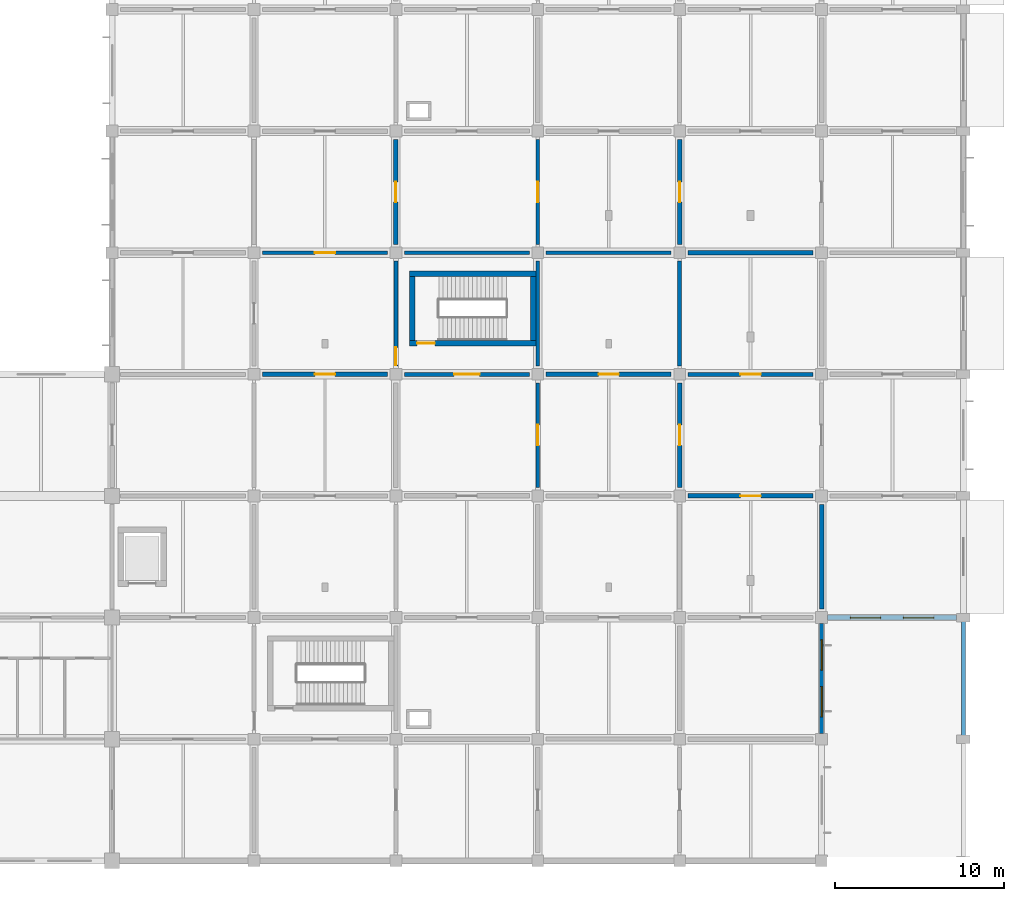
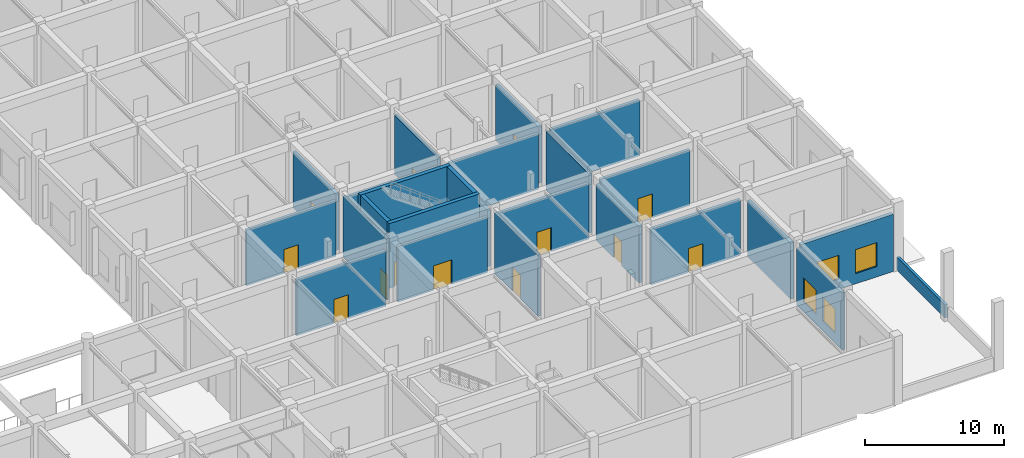
# One storey, part 24 of 39: 25 walls, 13 doors, 4 windows, 17 openings.
"""IFC4 building model written with IfcOpenShell, lengths in metres."""

from ifc_helpers import new_model, si_unit, derived_unit, direction, frame, frame_2d, origin, place, context, subcontext, project, spatial, rectangle, extrude, material, layer, layer_set, type_object, element, fill, save


model = new_model("IFC4")

# Units and contexts
model_context = context("Model", 3, precision=1e-05, world=origin(), true_north=direction((0.0, 1.0)))
body_context = subcontext(model_context, "Body", "Model", "MODEL_VIEW")
ifc_project = project(units=[si_unit("LENGTHUNIT", "METRE"), si_unit("AREAUNIT", "SQUARE_METRE"), si_unit("VOLUMEUNIT", "CUBIC_METRE"), si_unit("PLANEANGLEUNIT", "RADIAN"), si_unit("MASSUNIT", "GRAM", prefix="KILO"), derived_unit("THERMALTRANSMITTANCEUNIT", [(si_unit("MASSUNIT", "GRAM", prefix="KILO"), 1), (si_unit("TIMEUNIT", "SECOND"), -3), (si_unit("THERMODYNAMICTEMPERATUREUNIT", "KELVIN"), -1)])], contexts=[model_context])

# Site, building, storey
site_placement = place(None, origin())
site = spatial("IfcSite", under=ifc_project, at=site_placement, CompositionType="ELEMENT")
building_placement = place(site_placement, origin())
building = spatial("IfcBuilding", under=site, at=building_placement, Name="Veldstrom Oceanarium and Marine Research Institute", CompositionType="ELEMENT")
storey_placement = place(building_placement, origin())
storey = spatial("IfcBuildingStorey", under=building, at=storey_placement, Name="L00", CompositionType="ELEMENT", Elevation=0.0)

# Wall, openings, windows
ifc_material_1 = material(Name="Masonry Cavity Wall", Category="masonry")
ifc_layer_1 = layer(ifc_material_1, 0.31005859375)
ifc_layer_set_1 = layer_set([ifc_layer_1], Name="ARC-WAL-EW1")
wall_type_1 = type_object("IfcWallType", Name="ARC-WAL-EW1", PredefinedType="SOLIDWALL", material=ifc_layer_set_1)
wall_1_placement = place(storey_placement, frame((159.949951171875, 57.60009765625, 0.0), z_axis=(0.0, 0.0, 1.0), x_axis=(1.0, 0.0, 0.0)))
wall_1 = element("IfcWall", 1, at=wall_1_placement, inside=storey, type_object=wall_type_1, Name="Exterior Facade Wall EW1 L00-053", PredefinedType="SOLIDWALL", context=body_context, shape_type="SweptSolid", body=[
    extrude(rectangle(XDim=7.650146484375, YDim=0.31005859375, at=frame_2d((3.8251953125, 0.0))), origin(), (0.0, 0.0, 1.0), 5.02001953125),
])
opening_1_placement = place(wall_1_placement, frame((1.35009765625, 0.0, 0.89990234375)))
opening_1 = element("IfcOpeningElement", 2, at=opening_1_placement, cuts=wall_1, Name="Opening W10", PredefinedType="OPENING", context=body_context, shape_type="SweptSolid", body=[
    extrude(rectangle(XDim=1.800048828125, YDim=2.10009765625, at=frame_2d((0.89990234375, 1.050048828125))), frame((0.0, 0.1650390625, 0.0), z_axis=(0.0, -1.0, 0.0), x_axis=(1.0, 0.0, 0.0)), (0.0, 0.0, 1.0), 0.330078125),
])
opening_2_placement = place(wall_1_placement, frame((4.5, 0.0, 0.89990234375)))
opening_2 = element("IfcOpeningElement", 3, at=opening_2_placement, cuts=wall_1, Name="Opening W10", PredefinedType="OPENING", context=body_context, shape_type="SweptSolid", body=[
    extrude(rectangle(XDim=1.800048828125, YDim=2.10009765625, at=frame_2d((0.89990234375, 1.050048828125))), frame((0.0, 0.1650390625, 0.0), z_axis=(0.0, -1.0, 0.0), x_axis=(1.0, 0.0, 0.0)), (0.0, 0.0, 1.0), 0.330078125),
])
ifc_material_2 = material(Name="Double Glazed Low-E IGU", Category="glass")
window_type = type_object("IfcWindowType", Name="ARC-WIN-W10", PartitioningType="SINGLE_PANEL", PredefinedType="WINDOW", material=ifc_material_2)
window_1_placement = place(opening_1_placement, origin())
window_1 = element("IfcWindow", 4, at=window_1_placement, inside=storey, type_object=window_type, Name="Facade Window W10 L00-0031", OverallHeight=2.10009765625, OverallWidth=1.800048828125, PartitioningType="SINGLE_PANEL", PredefinedType="WINDOW", context=body_context, shape_type="SweptSolid", body=[
    extrude(rectangle(XDim=1.800048828125, YDim=2.10009765625, at=frame_2d((0.89990234375, 1.050048828125))), frame((0.0, 0.030029296875, 0.0), z_axis=(0.0, -1.0, 0.0), x_axis=(1.0, 0.0, 0.0)), (0.0, 0.0, 1.0), 0.06005859375),
])
fill(opening_1, window_1)
window_2_placement = place(opening_2_placement, origin())
window_2 = element("IfcWindow", 5, at=window_2_placement, inside=storey, type_object=window_type, Name="Facade Window W10 L00-0032", OverallHeight=2.10009765625, OverallWidth=1.800048828125, PartitioningType="SINGLE_PANEL", PredefinedType="WINDOW", context=body_context, shape_type="SweptSolid", body=[
    extrude(rectangle(XDim=1.800048828125, YDim=2.10009765625, at=frame_2d((0.89990234375, 1.050048828125))), frame((0.0, 0.030029296875, 0.0), z_axis=(0.0, -1.0, 0.0), x_axis=(1.0, 0.0, 0.0)), (0.0, 0.0, 1.0), 0.06005859375),
])
fill(opening_2, window_2)

ifc_material_3 = material(Name="Masonry Cavity Wall", Category="masonry")
ifc_layer_2 = layer(ifc_material_3, 0.25)
ifc_layer_set_2 = layer_set([ifc_layer_2], Name="ARC-WAL-EW5")
wall_type_2 = type_object("IfcWallType", Name="ARC-WAL-EW5", PredefinedType="SOLIDWALL", material=ifc_layer_set_2)
wall_2_placement = place(storey_placement, frame((159.60009765625, 50.75, 0.0), z_axis=(0.0, 0.0, 1.0), x_axis=(0.0, 1.0, 0.0)))
wall_2 = element("IfcWall", 6, at=wall_2_placement, inside=storey, type_object=wall_type_2, Name="Exterior Facade Wall EW5 L00-051", PredefinedType="SOLIDWALL", context=body_context, shape_type="SweptSolid", body=[
    extrude(rectangle(XDim=6.5, YDim=0.25, at=frame_2d((3.25, 0.0))), origin(), (0.0, 0.0, 1.0), 5.02001953125),
])
opening_3_placement = place(wall_2_placement, frame((0.966796875, 0.0, 0.89990234375)))
opening_3 = element("IfcOpeningElement", 7, at=opening_3_placement, cuts=wall_2, Name="Opening W10", PredefinedType="OPENING", context=body_context, shape_type="SweptSolid", body=[
    extrude(rectangle(XDim=1.800048828125, YDim=2.10009765625, at=frame_2d((0.89990234375, 1.050048828125))), frame((0.0, 0.135009765625, 0.0), z_axis=(0.0, -1.0, 0.0), x_axis=(1.0, 0.0, 0.0)), (0.0, 0.0, 1.0), 0.27001953125),
])
opening_4_placement = place(wall_2_placement, frame((3.7333984375, 0.0, 0.89990234375)))
opening_4 = element("IfcOpeningElement", 8, at=opening_4_placement, cuts=wall_2, Name="Opening W10", PredefinedType="OPENING", context=body_context, shape_type="SweptSolid", body=[
    extrude(rectangle(XDim=1.800048828125, YDim=2.10009765625, at=frame_2d((0.89990234375, 1.050048828125))), frame((0.0, 0.135009765625, 0.0), z_axis=(0.0, -1.0, 0.0), x_axis=(1.0, 0.0, 0.0)), (0.0, 0.0, 1.0), 0.27001953125),
])
window_3_placement = place(opening_3_placement, origin())
window_3 = element("IfcWindow", 9, at=window_3_placement, inside=storey, type_object=window_type, Name="Facade Window W10 L00-0029", OverallHeight=2.10009765625, OverallWidth=1.800048828125, PartitioningType="SINGLE_PANEL", PredefinedType="WINDOW", context=body_context, shape_type="SweptSolid", body=[
    extrude(rectangle(XDim=1.800048828125, YDim=2.10009765625, at=frame_2d((0.89990234375, 1.050048828125))), frame((0.0, 0.030029296875, 0.0), z_axis=(0.0, -1.0, 0.0), x_axis=(1.0, 0.0, 0.0)), (0.0, 0.0, 1.0), 0.06005859375),
])
fill(opening_3, window_3)
window_4_placement = place(opening_4_placement, origin())
window_4 = element("IfcWindow", 10, at=window_4_placement, inside=storey, type_object=window_type, Name="Facade Window W10 L00-0030", OverallHeight=2.10009765625, OverallWidth=1.800048828125, PartitioningType="SINGLE_PANEL", PredefinedType="WINDOW", context=body_context, shape_type="SweptSolid", body=[
    extrude(rectangle(XDim=1.800048828125, YDim=2.10009765625, at=frame_2d((0.89990234375, 1.050048828125))), frame((0.0, 0.030029296875, 0.0), z_axis=(0.0, -1.0, 0.0), x_axis=(1.0, 0.0, 0.0)), (0.0, 0.0, 1.0), 0.06005859375),
])
fill(opening_4, window_4)

# Wall
ifc_material_4 = material(Name="Masonry Cavity Wall", Category="masonry")
ifc_layer_3 = layer(ifc_material_4, 0.219970703125)
ifc_layer_set_3 = layer_set([ifc_layer_3], Name="ARC-WAL-PR1")
wall_type_3 = type_object("IfcWallType", Name="ARC-WAL-PR1", PredefinedType="PARAPET", material=ifc_layer_set_3)
wall_3_placement = place(storey_placement, frame((168.0, 50.52001953125, 0.0), z_axis=(0.0, 0.0, 1.0), x_axis=(0.0, 1.0, 0.0)))
element("IfcWall", 11, at=wall_3_placement, inside=storey, type_object=wall_type_3, Name="Roof Parapet Wall B01-005", PredefinedType="PARAPET", context=body_context, shape_type="SweptSolid", body=[
    extrude(rectangle(XDim=6.9599609375, YDim=0.219970703125, at=frame_2d((3.47998046875, 0.0))), origin(), (0.0, 0.0, 1.0), 1.14990234375),
])

# Wall, opening, door
ifc_material_5 = material(Name="Masonry Fire Compartment Wall", Category="masonry")
ifc_layer_4 = layer(ifc_material_5, 0.22998046875)
ifc_layer_set_4 = layer_set([ifc_layer_4], Name="ARC-WAL-PT1")
wall_type_4 = type_object("IfcWallType", Name="ARC-WAL-PT1", PredefinedType="PARTITIONING", material=ifc_layer_set_4)
wall_4_placement = place(storey_placement, frame((134.39990234375, 72.5, 0.0), z_axis=(0.0, 0.0, 1.0), x_axis=(0.0, 1.0, 0.0)))
wall_4 = element("IfcWall", 12, at=wall_4_placement, inside=storey, type_object=wall_type_4, Name="Interior Partition PT1 L00-0750", PredefinedType="PARTITIONING", context=body_context, shape_type="SweptSolid", body=[
    extrude(rectangle(XDim=6.199951171875, YDim=0.22998046875, at=frame_2d((3.10009765625, 0.0))), origin(), (0.0, 0.0, 1.0), 5.3798828125),
])
opening_5_placement = place(wall_4_placement, frame((0.050048828125, 0.0, 0.0)))
opening_5 = element("IfcOpeningElement", 13, at=opening_5_placement, cuts=wall_4, Name="Opening D-L00-432", PredefinedType="OPENING", context=body_context, shape_type="SweptSolid", body=[
    extrude(rectangle(XDim=1.050048828125, YDim=2.14990234375, at=frame_2d((0.52490234375, 1.074951171875))), frame((0.0, 0.125, 0.0), z_axis=(0.0, -1.0, 0.0), x_axis=(1.0, 0.0, 0.0)), (0.0, 0.0, 1.0), 0.25),
])
ifc_material_6 = material(Name="Painted Steel Fire Door", Category="steel")
door_type_1 = type_object("IfcDoorType", Name="ARC-DOR-SD1", OperationType="SINGLE_SWING_LEFT", PredefinedType="DOOR", material=ifc_material_6)
door_1_placement = place(opening_5_placement, origin())
door_1 = element("IfcDoor", 14, at=door_1_placement, inside=storey, type_object=door_type_1, Name="Interior Door D-L00-432", OperationType="SINGLE_SWING_LEFT", OverallHeight=2.14990234375, OverallWidth=1.050048828125, PredefinedType="DOOR", context=body_context, shape_type="SweptSolid", body=[
    extrude(rectangle(XDim=1.050048828125, YDim=2.14990234375, at=frame_2d((0.52490234375, 1.074951171875))), frame((0.0, 0.02490234375, 0.0), z_axis=(0.0, -1.0, 0.0), x_axis=(1.0, 0.0, 0.0)), (0.0, 0.0, 1.0), 0.050048828125),
])
fill(opening_5, door_1)

wall_5_placement = place(storey_placement, frame((126.5, 79.199951171875, 0.0), z_axis=(0.0, 0.0, 1.0), x_axis=(1.0, 0.0, 0.0)))
wall_5 = element("IfcWall", 15, at=wall_5_placement, inside=storey, type_object=wall_type_4, Name="Interior Partition PT1 L00-0751", PredefinedType="PARTITIONING", context=body_context, shape_type="SweptSolid", body=[
    extrude(rectangle(XDim=7.39990234375, YDim=0.22998046875, at=frame_2d((3.699951171875, 0.0))), origin(), (0.0, 0.0, 1.0), 4.8701171875),
])
opening_6_placement = place(wall_5_placement, frame((3.10009765625, 0.0, 0.0)))
opening_6 = element("IfcOpeningElement", 16, at=opening_6_placement, cuts=wall_5, Name="Opening D-L00-433", PredefinedType="OPENING", context=body_context, shape_type="SweptSolid", body=[
    extrude(rectangle(XDim=1.199951171875, YDim=2.10009765625, at=frame_2d((0.60009765625, 1.050048828125))), frame((0.0, 0.125, 0.0), z_axis=(0.0, -1.0, 0.0), x_axis=(1.0, 0.0, 0.0)), (0.0, 0.0, 1.0), 0.25),
])
ifc_material_7 = material(Name="Quarantine Biosecure Door", Category="steel")
door_type_2 = type_object("IfcDoorType", Name="ARC-DOR-ID06", OperationType="SINGLE_SWING_RIGHT", PredefinedType="DOOR", material=ifc_material_7)
door_2_placement = place(opening_6_placement, frame((1.199951171875, 0.0, 0.0), z_axis=(0.0, 0.0, 1.0), x_axis=(-1.0, 0.0, 0.0)))
door_2 = element("IfcDoor", 17, at=door_2_placement, inside=storey, type_object=door_type_2, Name="Interior Door D-L00-433", OperationType="SINGLE_SWING_LEFT", OverallHeight=2.10009765625, OverallWidth=1.199951171875, PredefinedType="DOOR", context=body_context, shape_type="SweptSolid", body=[
    extrude(rectangle(XDim=1.199951171875, YDim=2.10009765625, at=frame_2d((0.60009765625, 1.050048828125))), frame((0.0, 0.02490234375, 0.0), z_axis=(0.0, -1.0, 0.0), x_axis=(1.0, 0.0, 0.0)), (0.0, 0.0, 1.0), 0.050048828125),
])
fill(opening_6, door_2)

wall_6_placement = place(storey_placement, frame((142.800048828125, 65.300048828125, 0.0), z_axis=(0.0, 0.0, 1.0), x_axis=(0.0, 1.0, 0.0)))
wall_6 = element("IfcWall", 18, at=wall_6_placement, inside=storey, type_object=wall_type_4, Name="Interior Partition PT1 L00-0767", PredefinedType="PARTITIONING", context=body_context, shape_type="SweptSolid", body=[
    extrude(rectangle(XDim=6.199951171875, YDim=0.22998046875, at=frame_2d((3.10009765625, 0.0))), origin(), (0.0, 0.0, 1.0), 5.3798828125),
])
opening_7_placement = place(wall_6_placement, frame((2.5, 0.0, 0.0)))
opening_7 = element("IfcOpeningElement", 19, at=opening_7_placement, cuts=wall_6, Name="Opening D-L00-442", PredefinedType="OPENING", context=body_context, shape_type="SweptSolid", body=[
    extrude(rectangle(XDim=1.199951171875, YDim=2.10009765625, at=frame_2d((0.60009765625, 1.050048828125))), frame((0.0, 0.125, 0.0), z_axis=(0.0, -1.0, 0.0), x_axis=(1.0, 0.0, 0.0)), (0.0, 0.0, 1.0), 0.25),
])
door_3_placement = place(opening_7_placement, origin())
door_3 = element("IfcDoor", 20, at=door_3_placement, inside=storey, type_object=door_type_2, Name="Interior Door D-L00-442", OperationType="SINGLE_SWING_RIGHT", OverallHeight=2.10009765625, OverallWidth=1.199951171875, PredefinedType="DOOR", context=body_context, shape_type="SweptSolid", body=[
    extrude(rectangle(XDim=1.199951171875, YDim=2.10009765625, at=frame_2d((0.60009765625, 1.050048828125))), frame((0.0, 0.02490234375, 0.0), z_axis=(0.0, -1.0, 0.0), x_axis=(1.0, 0.0, 0.0)), (0.0, 0.0, 1.0), 0.050048828125),
])
fill(opening_7, door_3)

wall_7_placement = place(storey_placement, frame((134.89990234375, 72.0, 0.0), z_axis=(0.0, 0.0, 1.0), x_axis=(1.0, 0.0, 0.0)))
wall_7 = element("IfcWall", 21, at=wall_7_placement, inside=storey, type_object=wall_type_4, Name="Interior Partition PT1 L00-0768", PredefinedType="PARTITIONING", context=body_context, shape_type="SweptSolid", body=[
    extrude(rectangle(XDim=7.400146484375, YDim=0.22998046875, at=frame_2d((3.7001953125, 0.0))), origin(), (0.0, 0.0, 1.0), 4.8701171875),
])
opening_8_placement = place(wall_7_placement, frame((2.949951171875, 0.0, 0.0)))
opening_8 = element("IfcOpeningElement", 22, at=opening_8_placement, cuts=wall_7, Name="Opening D-L00-443", PredefinedType="OPENING", context=body_context, shape_type="SweptSolid", body=[
    extrude(rectangle(XDim=1.5, YDim=2.14990234375, at=frame_2d((0.75, 1.074951171875))), frame((0.0, 0.125, 0.0), z_axis=(0.0, -1.0, 0.0), x_axis=(1.0, 0.0, 0.0)), (0.0, 0.0, 1.0), 0.25),
])
ifc_material_8 = material(Name="Painted Steel Lobby Fire Door", Category="steel")
door_type_3 = type_object("IfcDoorType", Name="ARC-DOR-SD2", OperationType="DOUBLE_DOOR_SINGLE_SWING", PredefinedType="DOOR", material=ifc_material_8)
door_4_placement = place(opening_8_placement, frame((1.5, 0.0, 0.0), z_axis=(0.0, 0.0, 1.0), x_axis=(-1.0, 0.0, 0.0)))
door_4 = element("IfcDoor", 23, at=door_4_placement, inside=storey, type_object=door_type_3, Name="Interior Door D-L00-443", OperationType="DOUBLE_DOOR_SINGLE_SWING", OverallHeight=2.14990234375, OverallWidth=1.5, PredefinedType="DOOR", context=body_context, shape_type="SweptSolid", body=[
    extrude(rectangle(XDim=1.5, YDim=2.14990234375, at=frame_2d((0.75, 1.074951171875))), frame((0.0, 0.02490234375, 0.0), z_axis=(0.0, -1.0, 0.0), x_axis=(1.0, 0.0, 0.0)), (0.0, 0.0, 1.0), 0.050048828125),
])
fill(opening_8, door_4)

# Walls
wall_8_placement = place(storey_placement, frame((142.800048828125, 72.5, 0.0), z_axis=(0.0, 0.0, 1.0), x_axis=(0.0, 1.0, 0.0)))
element("IfcWall", 24, at=wall_8_placement, inside=storey, type_object=wall_type_4, Name="Interior Partition PT1 L00-0769", PredefinedType="PARTITIONING", context=body_context, shape_type="SweptSolid", body=[
    extrude(rectangle(XDim=6.199951171875, YDim=0.22998046875, at=frame_2d((3.10009765625, 0.0))), origin(), (0.0, 0.0, 1.0), 4.919921875),
])
wall_9_placement = place(storey_placement, frame((134.89990234375, 79.199951171875, 0.0), z_axis=(0.0, 0.0, 1.0), x_axis=(1.0, 0.0, 0.0)))
element("IfcWall", 25, at=wall_9_placement, inside=storey, type_object=wall_type_4, Name="Interior Partition PT1 L00-0770", PredefinedType="PARTITIONING", context=body_context, shape_type="SweptSolid", body=[
    extrude(rectangle(XDim=7.400146484375, YDim=0.22998046875, at=frame_2d((3.7001953125, 0.0))), origin(), (0.0, 0.0, 1.0), 4.8701171875),
])

# Wall, opening, door
wall_10_placement = place(storey_placement, frame((142.800048828125, 79.699951171875, 0.0), z_axis=(0.0, 0.0, 1.0), x_axis=(0.0, 1.0, 0.0)))
wall_10 = element("IfcWall", 26, at=wall_10_placement, inside=storey, type_object=wall_type_4, Name="Interior Partition PT1 L00-0771", PredefinedType="PARTITIONING", context=body_context, shape_type="SweptSolid", body=[
    extrude(rectangle(XDim=6.199951171875, YDim=0.22998046875, at=frame_2d((3.10009765625, 0.0))), origin(), (0.0, 0.0, 1.0), 5.169921875),
])
opening_9_placement = place(wall_10_placement, frame((2.5, 0.0, 0.0)))
opening_9 = element("IfcOpeningElement", 27, at=opening_9_placement, cuts=wall_10, Name="Opening D-L00-444", PredefinedType="OPENING", context=body_context, shape_type="SweptSolid", body=[
    extrude(rectangle(XDim=1.199951171875, YDim=2.10009765625, at=frame_2d((0.60009765625, 1.050048828125))), frame((0.0, 0.125, 0.0), z_axis=(0.0, -1.0, 0.0), x_axis=(1.0, 0.0, 0.0)), (0.0, 0.0, 1.0), 0.25),
])
door_5_placement = place(opening_9_placement, origin())
door_5 = element("IfcDoor", 28, at=door_5_placement, inside=storey, type_object=door_type_2, Name="Interior Door D-L00-444", OperationType="SINGLE_SWING_RIGHT", OverallHeight=2.10009765625, OverallWidth=1.199951171875, PredefinedType="DOOR", context=body_context, shape_type="SweptSolid", body=[
    extrude(rectangle(XDim=1.199951171875, YDim=2.10009765625, at=frame_2d((0.60009765625, 1.050048828125))), frame((0.0, 0.02490234375, 0.0), z_axis=(0.0, -1.0, 0.0), x_axis=(1.0, 0.0, 0.0)), (0.0, 0.0, 1.0), 0.050048828125),
])
fill(opening_9, door_5)

# Walls
wall_11_placement = place(storey_placement, frame((151.199951171875, 72.5, 0.0), z_axis=(0.0, 0.0, 1.0), x_axis=(0.0, 1.0, 0.0)))
element("IfcWall", 29, at=wall_11_placement, inside=storey, type_object=wall_type_4, Name="Interior Partition PT1 L00-0788", PredefinedType="PARTITIONING", context=body_context, shape_type="SweptSolid", body=[
    extrude(rectangle(XDim=6.199951171875, YDim=0.22998046875, at=frame_2d((3.10009765625, 0.0))), origin(), (0.0, 0.0, 1.0), 5.169921875),
])
wall_12_placement = place(storey_placement, frame((143.300048828125, 79.199951171875, 0.0), z_axis=(0.0, 0.0, 1.0), x_axis=(1.0, 0.0, 0.0)))
element("IfcWall", 30, at=wall_12_placement, inside=storey, type_object=wall_type_4, Name="Interior Partition PT1 L00-0789", PredefinedType="PARTITIONING", context=body_context, shape_type="SweptSolid", body=[
    extrude(rectangle(XDim=7.39990234375, YDim=0.22998046875, at=frame_2d((3.699951171875, 0.0))), origin(), (0.0, 0.0, 1.0), 4.8701171875),
])

# Wall, opening, door
wall_13_placement = place(storey_placement, frame((151.699951171875, 72.0, 0.0), z_axis=(0.0, 0.0, 1.0), x_axis=(1.0, 0.0, 0.0)))
wall_13 = element("IfcWall", 31, at=wall_13_placement, inside=storey, type_object=wall_type_4, Name="Interior Partition PT1 L00-0804", PredefinedType="PARTITIONING", context=body_context, shape_type="SweptSolid", body=[
    extrude(rectangle(XDim=7.400146484375, YDim=0.22998046875, at=frame_2d((3.7001953125, 0.0))), origin(), (0.0, 0.0, 1.0), 4.8701171875),
])
opening_10_placement = place(wall_13_placement, frame((3.10009765625, 0.0, 0.0)))
opening_10 = element("IfcOpeningElement", 32, at=opening_10_placement, cuts=wall_13, Name="Opening D-L00-462", PredefinedType="OPENING", context=body_context, shape_type="SweptSolid", body=[
    extrude(rectangle(XDim=1.199951171875, YDim=2.10009765625, at=frame_2d((0.60009765625, 1.050048828125))), frame((0.0, 0.125, 0.0), z_axis=(0.0, -1.0, 0.0), x_axis=(1.0, 0.0, 0.0)), (0.0, 0.0, 1.0), 0.25),
])
door_6_placement = place(opening_10_placement, frame((1.199951171875, 0.0, 0.0), z_axis=(0.0, 0.0, 1.0), x_axis=(-1.0, 0.0, 0.0)))
door_6 = element("IfcDoor", 33, at=door_6_placement, inside=storey, type_object=door_type_2, Name="Interior Door D-L00-462", OperationType="SINGLE_SWING_LEFT", OverallHeight=2.10009765625, OverallWidth=1.199951171875, PredefinedType="DOOR", context=body_context, shape_type="SweptSolid", body=[
    extrude(rectangle(XDim=1.199951171875, YDim=2.10009765625, at=frame_2d((0.60009765625, 1.050048828125))), frame((0.0, 0.02490234375, 0.0), z_axis=(0.0, -1.0, 0.0), x_axis=(1.0, 0.0, 0.0)), (0.0, 0.0, 1.0), 0.050048828125),
])
fill(opening_10, door_6)

ifc_material_9 = material(Name="Plant Acoustic Masonry Wall", Category="masonry")
ifc_layer_5 = layer(ifc_material_9, 0.260009765625)
ifc_layer_set_5 = layer_set([ifc_layer_5], Name="ARC-WAL-PT8")
wall_type_5 = type_object("IfcWallType", Name="ARC-WAL-PT8", PredefinedType="PARTITIONING", material=ifc_layer_set_5)
wall_14_placement = place(storey_placement, frame((126.5, 72.0, 0.0), z_axis=(0.0, 0.0, 1.0), x_axis=(1.0, 0.0, 0.0)))
wall_14 = element("IfcWall", 34, at=wall_14_placement, inside=storey, type_object=wall_type_5, Name="Interior Partition PT8 L00-0749", PredefinedType="PARTITIONING", context=body_context, shape_type="SweptSolid", body=[
    extrude(rectangle(XDim=7.39990234375, YDim=0.260009765625, at=frame_2d((3.699951171875, 0.0))), origin(), (0.0, 0.0, 1.0), 4.8701171875),
])
opening_11_placement = place(wall_14_placement, frame((3.10009765625, 0.0, 0.0)))
opening_11 = element("IfcOpeningElement", 35, at=opening_11_placement, cuts=wall_14, Name="Opening D-L00-431", PredefinedType="OPENING", context=body_context, shape_type="SweptSolid", body=[
    extrude(rectangle(XDim=1.199951171875, YDim=2.10009765625, at=frame_2d((0.60009765625, 1.050048828125))), frame((0.0, 0.139892578125, 0.0), z_axis=(0.0, -1.0, 0.0), x_axis=(1.0, 0.0, 0.0)), (0.0, 0.0, 1.0), 0.280029296875),
])
door_7_placement = place(opening_11_placement, origin())
door_7 = element("IfcDoor", 36, at=door_7_placement, inside=storey, type_object=door_type_2, Name="Interior Door D-L00-431", OperationType="SINGLE_SWING_LEFT", OverallHeight=2.10009765625, OverallWidth=1.199951171875, PredefinedType="DOOR", context=body_context, shape_type="SweptSolid", body=[
    extrude(rectangle(XDim=1.199951171875, YDim=2.10009765625, at=frame_2d((0.60009765625, 1.050048828125))), frame((0.0, 0.02490234375, 0.0), z_axis=(0.0, -1.0, 0.0), x_axis=(1.0, 0.0, 0.0)), (0.0, 0.0, 1.0), 0.050048828125),
])
fill(opening_11, door_7)

wall_15_placement = place(storey_placement, frame((134.39990234375, 79.699951171875, 0.0), z_axis=(0.0, 0.0, 1.0), x_axis=(0.0, 1.0, 0.0)))
wall_15 = element("IfcWall", 37, at=wall_15_placement, inside=storey, type_object=wall_type_5, Name="Interior Partition PT8 L00-0752", PredefinedType="PARTITIONING", context=body_context, shape_type="SweptSolid", body=[
    extrude(rectangle(XDim=6.199951171875, YDim=0.260009765625, at=frame_2d((3.10009765625, 0.0))), origin(), (0.0, 0.0, 1.0), 4.919921875),
])
opening_12_placement = place(wall_15_placement, frame((2.5, 0.0, 0.0)))
opening_12 = element("IfcOpeningElement", 38, at=opening_12_placement, cuts=wall_15, Name="Opening D-L00-434", PredefinedType="OPENING", context=body_context, shape_type="SweptSolid", body=[
    extrude(rectangle(XDim=1.199951171875, YDim=2.10009765625, at=frame_2d((0.60009765625, 1.050048828125))), frame((0.0, 0.139892578125, 0.0), z_axis=(0.0, -1.0, 0.0), x_axis=(1.0, 0.0, 0.0)), (0.0, 0.0, 1.0), 0.280029296875),
])
door_8_placement = place(opening_12_placement, frame((1.199951171875, 0.0, 0.0), z_axis=(0.0, 0.0, 1.0), x_axis=(-1.0, 0.0, 0.0)))
door_8 = element("IfcDoor", 39, at=door_8_placement, inside=storey, type_object=door_type_2, Name="Interior Door D-L00-434", OperationType="SINGLE_SWING_RIGHT", OverallHeight=2.10009765625, OverallWidth=1.199951171875, PredefinedType="DOOR", context=body_context, shape_type="SweptSolid", body=[
    extrude(rectangle(XDim=1.199951171875, YDim=2.10009765625, at=frame_2d((0.60009765625, 1.050048828125))), frame((0.0, 0.02490234375, 0.0), z_axis=(0.0, -1.0, 0.0), x_axis=(1.0, 0.0, 0.0)), (0.0, 0.0, 1.0), 0.050048828125),
])
fill(opening_12, door_8)

wall_16_placement = place(storey_placement, frame((151.199951171875, 65.300048828125, 0.0), z_axis=(0.0, 0.0, 1.0), x_axis=(0.0, 1.0, 0.0)))
wall_16 = element("IfcWall", 40, at=wall_16_placement, inside=storey, type_object=wall_type_5, Name="Interior Partition PT8 L00-0786", PredefinedType="PARTITIONING", context=body_context, shape_type="SweptSolid", body=[
    extrude(rectangle(XDim=6.199951171875, YDim=0.260009765625, at=frame_2d((3.10009765625, 0.0))), origin(), (0.0, 0.0, 1.0), 4.919921875),
])
opening_13_placement = place(wall_16_placement, frame((2.5, 0.0, 0.0)))
opening_13 = element("IfcOpeningElement", 41, at=opening_13_placement, cuts=wall_16, Name="Opening D-L00-452", PredefinedType="OPENING", context=body_context, shape_type="SweptSolid", body=[
    extrude(rectangle(XDim=1.199951171875, YDim=2.10009765625, at=frame_2d((0.60009765625, 1.050048828125))), frame((0.0, 0.139892578125, 0.0), z_axis=(0.0, -1.0, 0.0), x_axis=(1.0, 0.0, 0.0)), (0.0, 0.0, 1.0), 0.280029296875),
])
door_9_placement = place(opening_13_placement, frame((1.199951171875, 0.0, 0.0), z_axis=(0.0, 0.0, 1.0), x_axis=(-1.0, 0.0, 0.0)))
door_9 = element("IfcDoor", 42, at=door_9_placement, inside=storey, type_object=door_type_2, Name="Interior Door D-L00-452", OperationType="SINGLE_SWING_RIGHT", OverallHeight=2.10009765625, OverallWidth=1.199951171875, PredefinedType="DOOR", context=body_context, shape_type="SweptSolid", body=[
    extrude(rectangle(XDim=1.199951171875, YDim=2.10009765625, at=frame_2d((0.60009765625, 1.050048828125))), frame((0.0, 0.02490234375, 0.0), z_axis=(0.0, -1.0, 0.0), x_axis=(1.0, 0.0, 0.0)), (0.0, 0.0, 1.0), 0.050048828125),
])
fill(opening_13, door_9)

wall_17_placement = place(storey_placement, frame((143.300048828125, 72.0, 0.0), z_axis=(0.0, 0.0, 1.0), x_axis=(1.0, 0.0, 0.0)))
wall_17 = element("IfcWall", 43, at=wall_17_placement, inside=storey, type_object=wall_type_5, Name="Interior Partition PT8 L00-0787", PredefinedType="PARTITIONING", context=body_context, shape_type="SweptSolid", body=[
    extrude(rectangle(XDim=7.39990234375, YDim=0.260009765625, at=frame_2d((3.699951171875, 0.0))), origin(), (0.0, 0.0, 1.0), 4.8701171875),
])
opening_14_placement = place(wall_17_placement, frame((3.10009765625, 0.0, 0.0)))
opening_14 = element("IfcOpeningElement", 44, at=opening_14_placement, cuts=wall_17, Name="Opening D-L00-453", PredefinedType="OPENING", context=body_context, shape_type="SweptSolid", body=[
    extrude(rectangle(XDim=1.199951171875, YDim=2.10009765625, at=frame_2d((0.60009765625, 1.050048828125))), frame((0.0, 0.139892578125, 0.0), z_axis=(0.0, -1.0, 0.0), x_axis=(1.0, 0.0, 0.0)), (0.0, 0.0, 1.0), 0.280029296875),
])
door_10_placement = place(opening_14_placement, origin())
door_10 = element("IfcDoor", 45, at=door_10_placement, inside=storey, type_object=door_type_2, Name="Interior Door D-L00-453", OperationType="SINGLE_SWING_LEFT", OverallHeight=2.10009765625, OverallWidth=1.199951171875, PredefinedType="DOOR", context=body_context, shape_type="SweptSolid", body=[
    extrude(rectangle(XDim=1.199951171875, YDim=2.10009765625, at=frame_2d((0.60009765625, 1.050048828125))), frame((0.0, 0.02490234375, 0.0), z_axis=(0.0, -1.0, 0.0), x_axis=(1.0, 0.0, 0.0)), (0.0, 0.0, 1.0), 0.050048828125),
])
fill(opening_14, door_10)

wall_18_placement = place(storey_placement, frame((151.199951171875, 79.699951171875, 0.0), z_axis=(0.0, 0.0, 1.0), x_axis=(0.0, 1.0, 0.0)))
wall_18 = element("IfcWall", 46, at=wall_18_placement, inside=storey, type_object=wall_type_5, Name="Interior Partition PT8 L00-0790", PredefinedType="PARTITIONING", context=body_context, shape_type="SweptSolid", body=[
    extrude(rectangle(XDim=6.199951171875, YDim=0.260009765625, at=frame_2d((3.10009765625, 0.0))), origin(), (0.0, 0.0, 1.0), 4.919921875),
])
opening_15_placement = place(wall_18_placement, frame((2.5, 0.0, 0.0)))
opening_15 = element("IfcOpeningElement", 47, at=opening_15_placement, cuts=wall_18, Name="Opening D-L00-454", PredefinedType="OPENING", context=body_context, shape_type="SweptSolid", body=[
    extrude(rectangle(XDim=1.199951171875, YDim=2.10009765625, at=frame_2d((0.60009765625, 1.050048828125))), frame((0.0, 0.139892578125, 0.0), z_axis=(0.0, -1.0, 0.0), x_axis=(1.0, 0.0, 0.0)), (0.0, 0.0, 1.0), 0.280029296875),
])
door_11_placement = place(opening_15_placement, frame((1.199951171875, 0.0, 0.0), z_axis=(0.0, 0.0, 1.0), x_axis=(-1.0, 0.0, 0.0)))
door_11 = element("IfcDoor", 48, at=door_11_placement, inside=storey, type_object=door_type_2, Name="Interior Door D-L00-454", OperationType="SINGLE_SWING_RIGHT", OverallHeight=2.10009765625, OverallWidth=1.199951171875, PredefinedType="DOOR", context=body_context, shape_type="SweptSolid", body=[
    extrude(rectangle(XDim=1.199951171875, YDim=2.10009765625, at=frame_2d((0.60009765625, 1.050048828125))), frame((0.0, 0.02490234375, 0.0), z_axis=(0.0, -1.0, 0.0), x_axis=(1.0, 0.0, 0.0)), (0.0, 0.0, 1.0), 0.050048828125),
])
fill(opening_15, door_11)

# Wall
wall_19_placement = place(storey_placement, frame((159.60009765625, 58.10009765625, 0.0), z_axis=(0.0, 0.0, 1.0), x_axis=(0.0, 1.0, 0.0)))
element("IfcWall", 49, at=wall_19_placement, inside=storey, type_object=wall_type_5, Name="Interior Partition PT8 L00-0801", PredefinedType="PARTITIONING", context=body_context, shape_type="SweptSolid", body=[
    extrude(rectangle(XDim=6.199951171875, YDim=0.260009765625, at=frame_2d((3.10009765625, 0.0))), origin(), (0.0, 0.0, 1.0), 4.919921875),
])

# Wall, opening, door
wall_20_placement = place(storey_placement, frame((151.699951171875, 64.800048828125, 0.0), z_axis=(0.0, 0.0, 1.0), x_axis=(1.0, 0.0, 0.0)))
wall_20 = element("IfcWall", 50, at=wall_20_placement, inside=storey, type_object=wall_type_5, Name="Interior Partition PT8 L00-0802", PredefinedType="PARTITIONING", context=body_context, shape_type="SweptSolid", body=[
    extrude(rectangle(XDim=7.400146484375, YDim=0.260009765625, at=frame_2d((3.7001953125, 0.0))), origin(), (0.0, 0.0, 1.0), 4.8701171875),
])
opening_16_placement = place(wall_20_placement, frame((3.10009765625, 0.0, 0.0)))
opening_16 = element("IfcOpeningElement", 51, at=opening_16_placement, cuts=wall_20, Name="Opening D-L00-460", PredefinedType="OPENING", context=body_context, shape_type="SweptSolid", body=[
    extrude(rectangle(XDim=1.199951171875, YDim=2.10009765625, at=frame_2d((0.60009765625, 1.050048828125))), frame((0.0, 0.139892578125, 0.0), z_axis=(0.0, -1.0, 0.0), x_axis=(1.0, 0.0, 0.0)), (0.0, 0.0, 1.0), 0.280029296875),
])
door_12_placement = place(opening_16_placement, origin())
door_12 = element("IfcDoor", 52, at=door_12_placement, inside=storey, type_object=door_type_2, Name="Interior Door D-L00-460", OperationType="SINGLE_SWING_LEFT", OverallHeight=2.10009765625, OverallWidth=1.199951171875, PredefinedType="DOOR", context=body_context, shape_type="SweptSolid", body=[
    extrude(rectangle(XDim=1.199951171875, YDim=2.10009765625, at=frame_2d((0.60009765625, 1.050048828125))), frame((0.0, 0.02490234375, 0.0), z_axis=(0.0, -1.0, 0.0), x_axis=(1.0, 0.0, 0.0)), (0.0, 0.0, 1.0), 0.050048828125),
])
fill(opening_16, door_12)

# Wall
wall_21_placement = place(storey_placement, frame((151.699951171875, 79.199951171875, 0.0), z_axis=(0.0, 0.0, 1.0), x_axis=(1.0, 0.0, 0.0)))
element("IfcWall", 53, at=wall_21_placement, inside=storey, type_object=wall_type_5, Name="Interior Partition PT8 L00-0806", PredefinedType="PARTITIONING", context=body_context, shape_type="SweptSolid", body=[
    extrude(rectangle(XDim=7.400146484375, YDim=0.260009765625, at=frame_2d((3.7001953125, 0.0))), origin(), (0.0, 0.0, 1.0), 4.8701171875),
])

# Wall, opening, door
ifc_material_10 = material(Name="Concrete C40/50", Category="concrete")
ifc_layer_6 = layer(ifc_material_10, 0.320068359375)
ifc_layer_set_6 = layer_set([ifc_layer_6], Name="STR-WAL-WC3")
wall_type_6 = type_object("IfcWallType", Name="STR-WAL-WC3", PredefinedType="SHEAR", material=ifc_layer_set_6)
wall_22_placement = place(storey_placement, frame((135.199951171875, 73.840087890625, 0.0), z_axis=(0.0, 0.0, 1.0), x_axis=(1.0, 0.0, 0.0)))
wall_22 = element("IfcWall", 54, at=wall_22_placement, inside=storey, type_object=wall_type_6, Name="Stair Core Shear Wall SC6-L00-S", PredefinedType="SHEAR", context=body_context, shape_type="SweptSolid", body=[
    extrude(rectangle(XDim=7.47998046875, YDim=0.320068359375, at=frame_2d((3.739990234375, 0.0))), origin(), (0.0, 0.0, 1.0), 5.675048828125),
])
opening_17_placement = place(wall_22_placement, frame((0.449951171875, 0.0, 0.0)))
opening_17 = element("IfcOpeningElement", 55, at=opening_17_placement, cuts=wall_22, Name="Opening D-ST6-L00", PredefinedType="OPENING", context=body_context, shape_type="SweptSolid", body=[
    extrude(rectangle(XDim=1.050048828125, YDim=2.14990234375, at=frame_2d((0.52490234375, 1.074951171875))), frame((0.0, 0.169921875, 0.0), z_axis=(0.0, -1.0, 0.0), x_axis=(1.0, 0.0, 0.0)), (0.0, 0.0, 1.0), 0.340087890625),
])
door_13_placement = place(opening_17_placement, frame((1.050048828125, 0.0, 0.0), z_axis=(0.0, 0.0, 1.0), x_axis=(-1.0, 0.0, 0.0)))
door_13 = element("IfcDoor", 56, at=door_13_placement, inside=storey, type_object=door_type_1, Name="Escape Stair Fire Door D-ST6-L00", OperationType="SINGLE_SWING_RIGHT", OverallHeight=2.14990234375, OverallWidth=1.050048828125, PredefinedType="DOOR", context=body_context, shape_type="SweptSolid", body=[
    extrude(rectangle(XDim=1.050048828125, YDim=2.14990234375, at=frame_2d((0.52490234375, 1.074951171875))), frame((0.0, 0.02490234375, 0.0), z_axis=(0.0, -1.0, 0.0), x_axis=(1.0, 0.0, 0.0)), (0.0, 0.0, 1.0), 0.050048828125),
])
fill(opening_17, door_13)

# Walls
wall_23_placement = place(storey_placement, frame((135.199951171875, 77.9599609375, 0.0), z_axis=(0.0, 0.0, 1.0), x_axis=(1.0, 0.0, 0.0)))
element("IfcWall", 57, at=wall_23_placement, inside=storey, type_object=wall_type_6, Name="Stair Core Shear Wall SC6-L00-N", PredefinedType="SHEAR", context=body_context, shape_type="SweptSolid", body=[
    extrude(rectangle(XDim=7.47998046875, YDim=0.320068359375, at=frame_2d((3.739990234375, 0.0))), origin(), (0.0, 0.0, 1.0), 5.675048828125),
])
for number, where, z_axis, x_axis, name in (
    (58, (135.360107421875, 74.0, 0.0), (0.0, 0.0, 1.0), (0.0, 1.0, 0.0), "Stair Core Shear Wall SC6-L00-W"),
    (59, (142.52001953125, 74.0, 0.0), (0.0, 0.0, 1.0), (0.0, 1.0, 0.0), "Stair Core Shear Wall SC6-L00-E"),
):
    element("IfcWall", number, at=place(storey_placement, frame(where, z_axis=z_axis, x_axis=x_axis)), inside=storey, type_object=wall_type_6, Name=name, PredefinedType="SHEAR", context=body_context, shape_type="SweptSolid", body=[
        extrude(rectangle(XDim=3.800048828125, YDim=0.320068359375, at=frame_2d((1.89990234375, 0.0))), origin(), (0.0, 0.0, 1.0), 5.675048828125),
    ])

save(model, "model.ifc")
